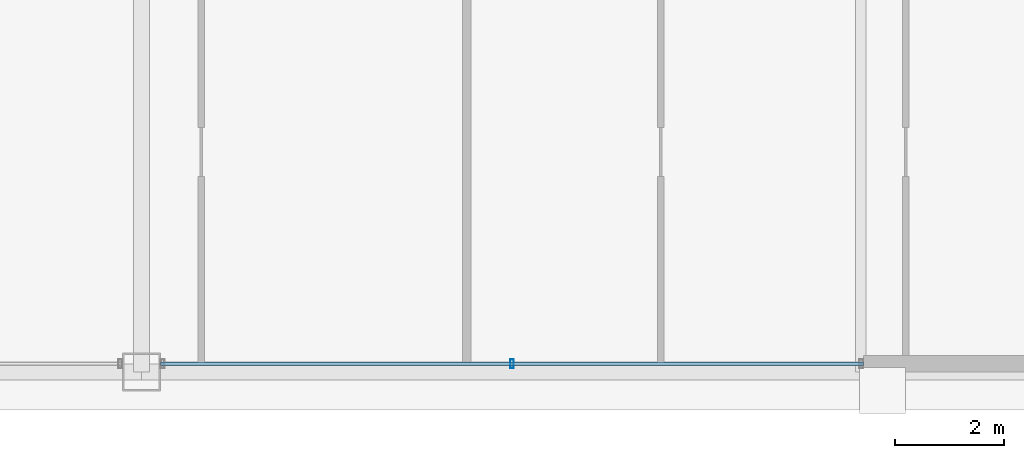
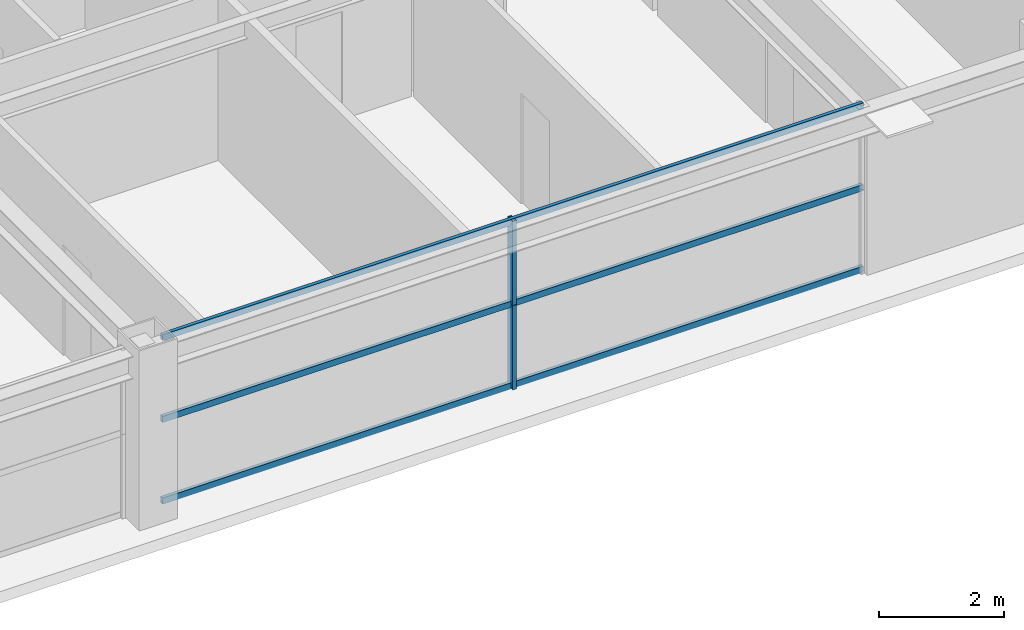
# One storey, part 11 of 37: 5 members, 1 element without a shape of its own.
"""IFC4 building model written with IfcOpenShell, lengths in metres."""

from ifc_helpers import new_model, si_unit, direction, frame, origin, origin_2d, place, context, subcontext, project, spatial, hollow_rectangle, extrude, source, transform, mapped, material, layer, layer_set, material_profile, profile_set, type_object, element, aggregate, save


model = new_model("IFC4")

# Units and contexts
model_context = context("Model", 3, precision=1e-05, world=origin(), true_north=direction((0.0, 1.0)))
body_context = subcontext(model_context, "Body", "Model", "MODEL_VIEW")
ifc_project = project(units=[si_unit("LENGTHUNIT", "METRE"), si_unit("AREAUNIT", "SQUARE_METRE"), si_unit("VOLUMEUNIT", "CUBIC_METRE"), si_unit("PLANEANGLEUNIT", "RADIAN"), si_unit("MASSUNIT", "GRAM", prefix="KILO"), si_unit("THERMODYNAMICTEMPERATUREUNIT", "KELVIN"), si_unit("POWERUNIT", "WATT")], contexts=[model_context])

# Site, building, storey
site_placement = place(None, origin())
site = spatial("IfcSite", under=ifc_project, at=site_placement, CompositionType="ELEMENT")
building_placement = place(site_placement, origin())
building = spatial("IfcBuilding", under=site, at=building_placement, Name="Yuzanri Waterfront Tower", CompositionType="ELEMENT")
storey_placement = place(building_placement, frame((0.0, 0.0, 252.10009765625)))
storey = spatial("IfcBuildingStorey", under=building, at=storey_placement, Name="L67", CompositionType="ELEMENT", Elevation=252.10009765625)

# Curtain wall, members
ifc_material_1 = material(Name="Anodized Architectural Bronze", Category="metal")
ifc_layer = layer(ifc_material_1, 0.159912109375)
ifc_layer_set = layer_set([ifc_layer], Name="Anodized Architectural Bronze")
curtain_wall_type = type_object("IfcCurtainWallType", Name="Anodized Bronze Mid-Rise Residential Acoustic Unitized Curtain Wall 7200", PredefinedType="NOTDEFINED", material=ifc_layer_set)
curtain_wall_placement = place(storey_placement, origin())
curtain_wall = element("IfcCurtainWall", 1, at=curtain_wall_placement, inside=storey, type_object=curtain_wall_type, Name="L67 Curtain Wall CW-L67-SR", PredefinedType="NOTDEFINED")
ifc_material_2 = material(Name="Anodized Architectural Bronze", Category="metal")
ifc_material_profile_1 = material_profile(ifc_material_2, hollow_rectangle(XDim=0.06494140625, YDim=0.159912109375, WallThickness=0.00341796875, at=origin_2d()), Name="CWM 65x160")
ifc_profile_set_1 = profile_set([ifc_material_profile_1], Name="Anodized Architectural Bronze")
member_type_1 = type_object("IfcMemberType", Name="Anodized Bronze Upper-Zone Curtain-Wall Mullion 65x160", PredefinedType="MULLION", material=ifc_profile_set_1)
shared_shape_1 = source(origin(), body_context, "Body", "SweptSolid", [
    extrude(hollow_rectangle(XDim=0.06494140625, YDim=0.159912109375, WallThickness=0.00341796875, at=origin_2d()), origin(), (0.0, 0.0, 1.0), 1.637939453125),
])
member_1_placement = place(storey_placement, frame((43.800048828125, 5.35009765625, 0.0), z_axis=(0.0, 0.0, 1.0), x_axis=(1.0, 0.0, 0.0)))
member_1 = element("IfcMember", 2, at=member_1_placement, type_object=member_type_1, Name="CW-L67-SR Lower Mullion 01", PredefinedType="MULLION", context=body_context, shape_type="MappedRepresentation", body=[
    mapped(shared_shape_1, transform((0.0, 0.0, 0.0), scale=1.0)),
])
member_2_placement = place(storey_placement, frame((43.800048828125, 5.35009765625, 1.641845703125), z_axis=(0.0, 0.0, 1.0), x_axis=(1.0, 0.0, 0.0)))
member_2 = element("IfcMember", 3, at=member_2_placement, type_object=member_type_1, Name="CW-L67-SR Upper Mullion 01", PredefinedType="MULLION", context=body_context, shape_type="MappedRepresentation", body=[
    mapped(shared_shape_1, transform((0.0, 0.0, 0.0), scale=1.0)),
])
ifc_material_3 = material(Name="Anodized Architectural Bronze", Category="metal")
ifc_material_profile_2 = material_profile(ifc_material_3, hollow_rectangle(XDim=0.06494140625, YDim=0.1201171875, WallThickness=0.00341796875, at=origin_2d()), Name="CWT 65x120")
ifc_profile_set_2 = profile_set([ifc_material_profile_2], Name="Anodized Architectural Bronze")
member_type_2 = type_object("IfcMemberType", Name="Anodized Bronze Secondary Curtain-Wall Transom 65x120", PredefinedType="USERDEFINED", material=ifc_profile_set_2)
shared_shape_2 = source(origin(), body_context, "Body", "SweptSolid", [
    extrude(hollow_rectangle(XDim=0.06494140625, YDim=0.1201171875, WallThickness=0.00341796875, at=origin_2d()), origin(), (0.0, 0.0, 1.0), 12.89990234375),
])
member_3_placement = place(storey_placement, frame((37.35009765625, 5.35009765625, 0.0498046875), z_axis=(1.0, 0.0, 0.0), x_axis=(0.0, 1.0, 0.0)))
member_3 = element("IfcMember", 4, at=member_3_placement, type_object=member_type_2, Name="CW-L67-SR Transom 1", ObjectType="TRANSOM", PredefinedType="USERDEFINED", context=body_context, shape_type="MappedRepresentation", body=[
    mapped(shared_shape_2, transform((0.0, 0.0, 0.0), scale=1.0)),
])
member_4_placement = place(storey_placement, frame((37.35009765625, 5.35009765625, 1.639892578125), z_axis=(1.0, 0.0, 0.0), x_axis=(0.0, 1.0, 0.0)))
member_4 = element("IfcMember", 5, at=member_4_placement, type_object=member_type_2, Name="CW-L67-SR Transom 2", ObjectType="TRANSOM", PredefinedType="USERDEFINED", context=body_context, shape_type="MappedRepresentation", body=[
    mapped(shared_shape_2, transform((0.0, 0.0, 0.0), scale=1.0)),
])
member_5_placement = place(storey_placement, frame((37.35009765625, 5.35009765625, 3.22998046875), z_axis=(1.0, 0.0, 0.0), x_axis=(0.0, 1.0, 0.0)))
member_5 = element("IfcMember", 6, at=member_5_placement, type_object=member_type_2, Name="CW-L67-SR Transom 3", ObjectType="TRANSOM", PredefinedType="USERDEFINED", context=body_context, shape_type="MappedRepresentation", body=[
    mapped(shared_shape_2, transform((0.0, 0.0, 0.0), scale=1.0)),
])
aggregate(curtain_wall, [member_1, member_2, member_3, member_4, member_5])

save(model, "model.ifc")
